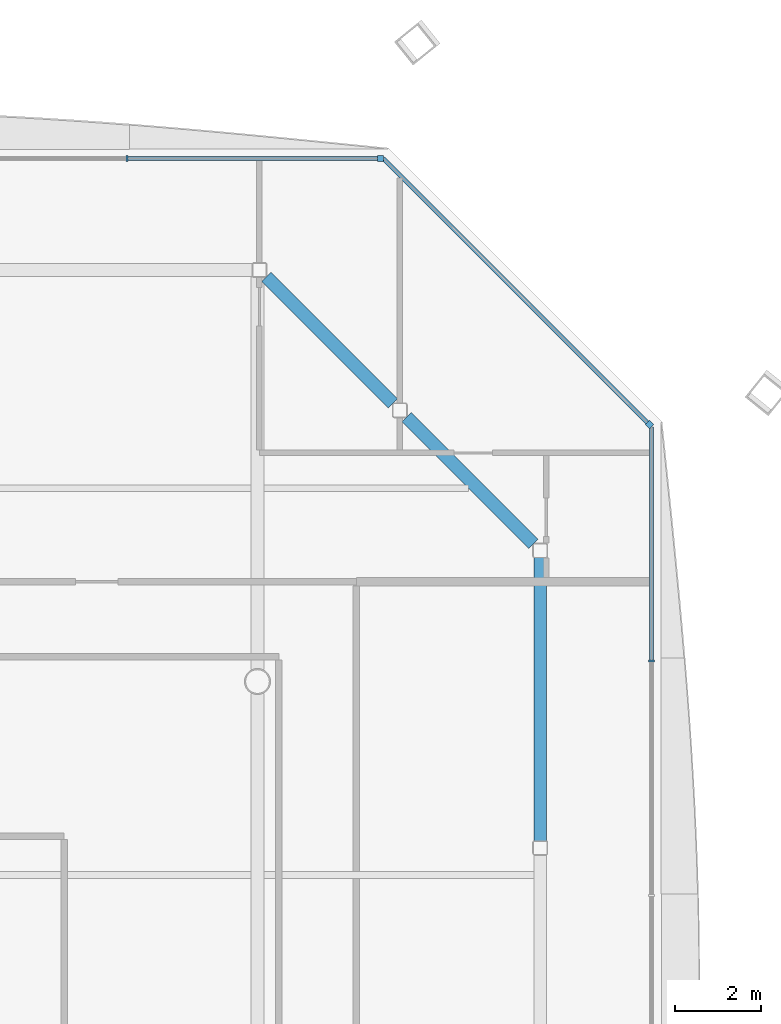
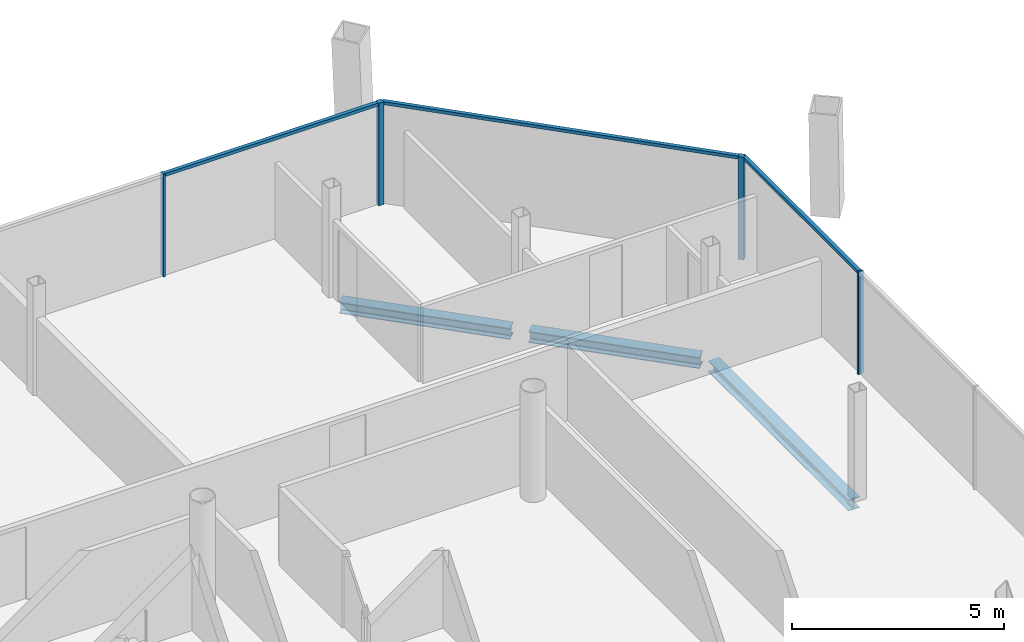
# One storey, part 12 of 20: 7 members, 3 beams, 3 elements without a shape of their own.
"""IFC4 building model written with IfcOpenShell, lengths in metres."""

from ifc_helpers import new_model, si_unit, direction, frame, origin, origin_2d, place, context, subcontext, project, spatial, rectangle, i_section, extrude, material, material_profile, profile_set, type_object, element, aggregate, save


model = new_model("IFC4")

# Units and contexts
model_context = context("Model", 3, precision=1e-05, world=origin(), true_north=direction((0.0, 1.0)))
body_context = subcontext(model_context, "Body", "Model", "MODEL_VIEW")
ifc_project = project(units=[si_unit("LENGTHUNIT", "METRE"), si_unit("AREAUNIT", "SQUARE_METRE"), si_unit("VOLUMEUNIT", "CUBIC_METRE"), si_unit("PLANEANGLEUNIT", "RADIAN"), si_unit("MASSUNIT", "GRAM", prefix="KILO")], contexts=[model_context])

# Site, building, storey
site_placement = place(None, origin())
site = spatial("IfcSite", under=ifc_project, at=site_placement, CompositionType="ELEMENT")
building_placement = place(site_placement, origin())
building = spatial("IfcBuilding", under=site, at=building_placement, Name="Tskaro Facet Tower", CompositionType="ELEMENT")
storey_placement = place(building_placement, frame((0.0, 0.0, 178.5)))
storey = spatial("IfcBuildingStorey", under=building, at=storey_placement, Name="L44", CompositionType="ELEMENT", Elevation=178.5)

# Curtain wall, member
ifc_material_1 = material(Name="Bronze anodised aluminium 6063-T6", Category="aluminium")
curtain_wall_type = type_object("IfcCurtainWallType", Name="Bronze residence curtain wall (FW3)", PredefinedType="NOTDEFINED", material=ifc_material_1)
curtain_wall_1_placement = place(storey_placement, origin())
curtain_wall_1 = element("IfcCurtainWall", 1, at=curtain_wall_1_placement, inside=storey, type_object=curtain_wall_type, Name="FW3 north-east facet L44", PredefinedType="NOTDEFINED")
ifc_material_profile_1 = material_profile(ifc_material_1, rectangle(XDim=0.139892578125, YDim=0.139892578125, at=origin_2d()), Name="Corner post 140x140")
ifc_profile_set_1 = profile_set([ifc_material_profile_1], Name="Bronze anodised aluminium 6063-T6")
member_type_1 = type_object("IfcMemberType", Name="FW3 bronze corner post 140x140", PredefinedType="MULLION", material=ifc_profile_set_1)
member_1_placement = place(storey_placement, frame((18.12646484375, 14.98046875, 0.0), z_axis=(0.0, 0.0, 1.0), x_axis=(-0.707106781187, 0.707106781187, 0.0)))
member_1 = element("IfcMember", 2, at=member_1_placement, type_object=member_type_1, Name="FW3 north-east corner post", PredefinedType="MULLION", context=body_context, shape_type="SweptSolid", body=[
    extrude(rectangle(XDim=0.139892578125, YDim=0.139892578125, at=origin_2d()), origin(), (0.0, 0.0, 1.0), 2.949951171875),
])

curtain_wall_2_placement = place(storey_placement, origin())
curtain_wall_2 = element("IfcCurtainWall", 3, at=curtain_wall_2_placement, inside=storey, type_object=curtain_wall_type, Name="FW3 north facet L44", PredefinedType="NOTDEFINED")
member_2_placement = place(storey_placement, frame((11.861083984375, 21.176025390625, 0.0), z_axis=(0.0, 0.0, 1.0), x_axis=(-1.0, 0.0, 0.0)))
member_2 = element("IfcMember", 4, at=member_2_placement, type_object=member_type_1, Name="FW3 north corner post", PredefinedType="MULLION", context=body_context, shape_type="SweptSolid", body=[
    extrude(rectangle(XDim=0.139892578125, YDim=0.139892578125, at=origin_2d()), origin(), (0.0, 0.0, 1.0), 2.949951171875),
])

curtain_wall_3_placement = place(storey_placement, origin())
curtain_wall_3 = element("IfcCurtainWall", 5, at=curtain_wall_3_placement, inside=storey, type_object=curtain_wall_type, Name="FW3 east facet L44", PredefinedType="NOTDEFINED")
ifc_material_profile_2 = material_profile(ifc_material_1, rectangle(XDim=0.050048828125, YDim=0.139892578125, at=origin_2d()), Name="Mullion 50x140")
ifc_profile_set_2 = profile_set([ifc_material_profile_2], Name="Bronze anodised aluminium 6063-T6")
member_type_2 = type_object("IfcMemberType", Name="FW3 bronze mullion 50x140", PredefinedType="MULLION", material=ifc_profile_set_2)
member_3_placement = place(storey_placement, frame((18.176025390625, 9.475830078125, 0.0), z_axis=(0.0, 0.0, 1.0), x_axis=(0.0, 1.0, 0.0)))
member_3 = element("IfcMember", 6, at=member_3_placement, type_object=member_type_2, Name="FW3 east mullion 5", PredefinedType="MULLION", context=body_context, shape_type="SweptSolid", body=[
    extrude(rectangle(XDim=0.050048828125, YDim=0.139892578125, at=origin_2d()), origin(), (0.0, 0.0, 1.0), 2.949951171875),
])

# Member
member_4_placement = place(storey_placement, frame((5.95849609375, 21.176025390625, 0.0), z_axis=(0.0, 0.0, 1.0), x_axis=(-1.0, 0.0, 0.0)))
member_4 = element("IfcMember", 7, at=member_4_placement, type_object=member_type_2, Name="FW3 north mullion 1", PredefinedType="MULLION", context=body_context, shape_type="SweptSolid", body=[
    extrude(rectangle(XDim=0.050048828125, YDim=0.139892578125, at=origin_2d()), origin(), (0.0, 0.0, 1.0), 2.949951171875),
])

ifc_material_profile_3 = material_profile(ifc_material_1, rectangle(XDim=0.10009765625, YDim=0.090087890625, at=origin_2d()), Name="Transom 100x90")
ifc_profile_set_3 = profile_set([ifc_material_profile_3], Name="Bronze anodised aluminium 6063-T6")
member_type_3 = type_object("IfcMemberType", Name="FW3 bronze transom 100x90", PredefinedType="USERDEFINED", material=ifc_profile_set_3)
member_5_placement = place(storey_placement, frame((18.176025390625, 9.500732421875, 2.905029296875), z_axis=(0.0, 1.0, 0.0), x_axis=(-1.0, 0.0, 0.0)))
member_5 = element("IfcMember", 8, at=member_5_placement, type_object=member_type_3, Name="FW3 east transom 6.1", ObjectType="TRANSOM", PredefinedType="USERDEFINED", context=body_context, shape_type="SweptSolid", body=[
    extrude(rectangle(XDim=0.10009765625, YDim=0.090087890625, at=origin_2d()), origin(), (0.0, 0.0, 1.0), 5.43017578125),
])

aggregate(curtain_wall_3, [member_3, member_5])

member_6_placement = place(storey_placement, frame((18.076904296875, 15.030029296875, 2.905029296875), z_axis=(-0.707106781187, 0.707106781187, 0.0), x_axis=(-0.707106781187, -0.707106781187, 0.0)))
member_6 = element("IfcMember", 9, at=member_6_placement, type_object=member_type_3, Name="FW3 north-east transom 1.1", ObjectType="TRANSOM", PredefinedType="USERDEFINED", context=body_context, shape_type="SweptSolid", body=[
    extrude(rectangle(XDim=0.10009765625, YDim=0.090087890625, at=origin_2d()), origin(), (0.0, 0.0, 1.0), 8.691650390625),
])

aggregate(curtain_wall_1, [member_1, member_6])

member_7_placement = place(storey_placement, frame((11.791015625, 21.176025390625, 2.905029296875), z_axis=(-1.0, 0.0, 0.0), x_axis=(0.0, -1.0, 0.0)))
member_7 = element("IfcMember", 10, at=member_7_placement, type_object=member_type_3, Name="FW3 north transom 1.1", ObjectType="TRANSOM", PredefinedType="USERDEFINED", context=body_context, shape_type="SweptSolid", body=[
    extrude(rectangle(XDim=0.10009765625, YDim=0.090087890625, at=origin_2d()), origin(), (0.0, 0.0, 1.0), 5.807373046875),
])

aggregate(curtain_wall_2, [member_2, member_4, member_7])

# Beams
ifc_material_2 = material(Name="Steel S355J2", Category="steel")
ifc_material_profile_4 = material_profile(ifc_material_2, i_section(OverallWidth=0.300048828125, OverallDepth=0.320068359375, WebThickness=0.011474609375, FlangeThickness=0.0205078125, FilletRadius=0.027099609375, at=origin_2d()), Name="HE 320 B")
ifc_profile_set_4 = profile_set([ifc_material_profile_4], Name="Steel S355J2")
beam_type = type_object("IfcBeamType", Name="HE 320 B ring beam", PredefinedType="BEAM", material=ifc_profile_set_4)
beam_placement = place(storey_placement, frame((15.5830078125, 5.281005859375, -0.300048828125), z_axis=(0.0, 1.0, 0.0), x_axis=(-1.0, 0.0, 0.0)))
element("IfcBeam", 11, at=beam_placement, inside=storey, type_object=beam_type, Name="HE 320 B EB9-4", PredefinedType="BEAM", context=body_context, shape_type="SweptSolid", body=[
    extrude(i_section(OverallWidth=0.300048828125, OverallDepth=0.320068359375, WebThickness=0.011474609375, FlangeThickness=0.0205078125, FilletRadius=0.027099609375, at=origin_2d()), origin(), (0.0, 0.0, 1.0), 6.610107421875),
])
for number, where, z_axis, x_axis, name in (
    (12, (15.422119140625, 12.206787109375, -0.300048828125), (-0.70722393913, 0.706989603829, 0.0), (-0.706989603829, -0.70722393913, 0.0), "HE 320 B EB10-4"),
    (13, (12.153076171875, 15.474853515625, -0.300048828125), (-0.706989603829, 0.70722393913, 0.0), (-0.70722393913, -0.706989603829, 0.0), "HE 320 B EB11-4"),
):
    element("IfcBeam", number, at=place(storey_placement, frame(where, z_axis=z_axis, x_axis=x_axis)), inside=storey, type_object=beam_type, Name=name, PredefinedType="BEAM", context=body_context, shape_type="SweptSolid", body=[
        extrude(i_section(OverallWidth=0.300048828125, OverallDepth=0.320068359375, WebThickness=0.011474609375, FlangeThickness=0.0205078125, FilletRadius=0.027099609375, at=origin_2d()), origin(), (0.0, 0.0, 1.0), 4.16748046875),
    ])

save(model, "model.ifc")
